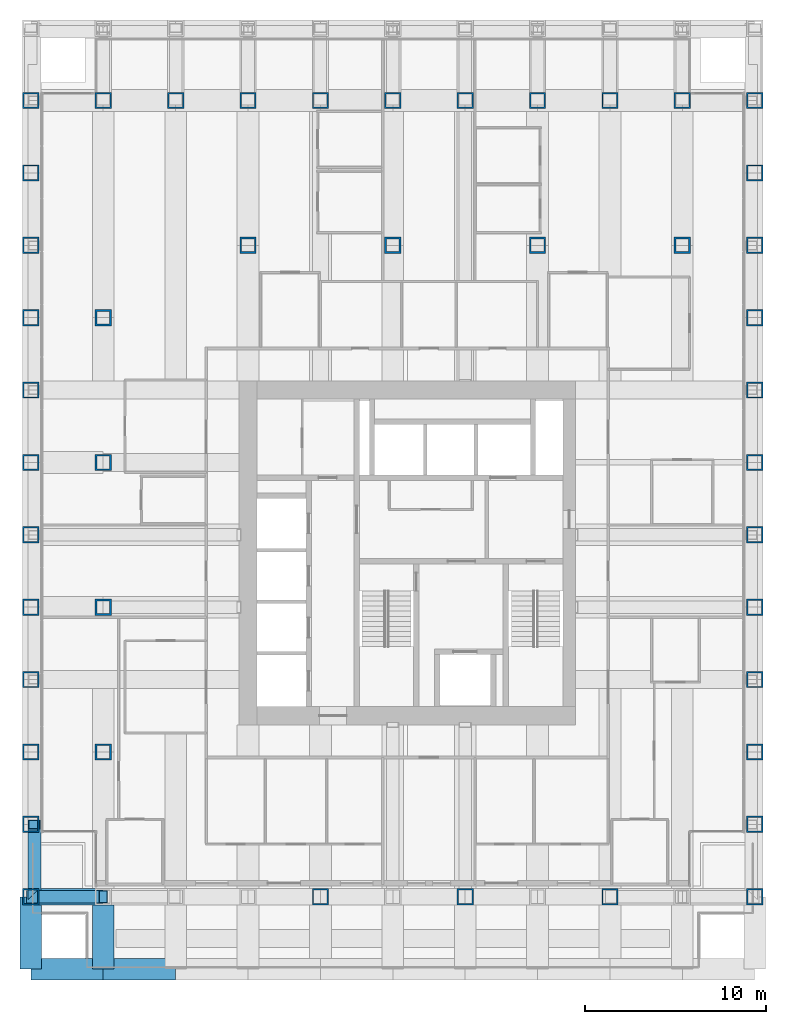
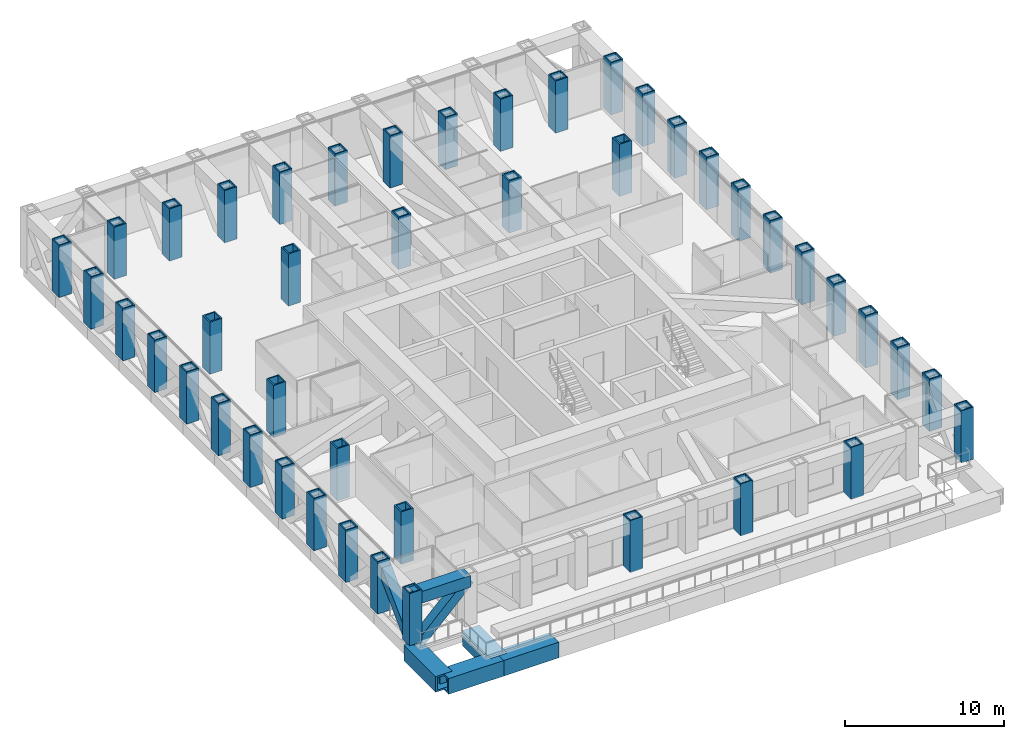
# One storey, part 1 of 16: 44 columns, 5 beams, 2 members.
"""IFC4 building model written with IfcOpenShell, lengths in metres."""

from ifc_helpers import new_model, si_unit, direction, frame, origin, origin_2d, place, context, subcontext, project, spatial, hollow_rectangle, extrude, material, material_profile, profile_set, type_object, element, save


model = new_model("IFC4")

# Units and contexts
model_context = context("Model", 3, precision=1e-05, world=origin(), true_north=direction((0.0, 1.0)))
body_context = subcontext(model_context, "Body", "Model", "MODEL_VIEW")
ifc_project = project(units=[si_unit("LENGTHUNIT", "METRE"), si_unit("AREAUNIT", "SQUARE_METRE"), si_unit("VOLUMEUNIT", "CUBIC_METRE"), si_unit("PLANEANGLEUNIT", "RADIAN"), si_unit("MASSUNIT", "GRAM", prefix="KILO")], contexts=[model_context])

# Site, building, storey
site_placement = place(None, origin())
site = spatial("IfcSite", under=ifc_project, at=site_placement, CompositionType="ELEMENT")
building_placement = place(site_placement, origin())
building = spatial("IfcBuilding", under=site, at=building_placement, Name="Rimbunsela Tower", CompositionType="ELEMENT")
storey_placement = place(building_placement, frame((0.0, 0.0, 171.800048828125)))
storey = spatial("IfcBuildingStorey", under=building, at=storey_placement, Name="L41", CompositionType="ELEMENT", Elevation=171.800048828125)

# Columns
ifc_material_1 = material(Name="Steel BJ 55 (fy 410 MPa)", Category="steel")
ifc_material_profile_1 = material_profile(ifc_material_1, hollow_rectangle(XDim=0.89990234375, YDim=0.89990234375, WallThickness=0.10009765625, at=origin_2d()), Name="BOX 900x900x100")
ifc_profile_set_1 = profile_set([ifc_material_profile_1], Name="Steel BJ 55 (fy 410 MPa)")
column_type_1 = type_object("IfcColumnType", Name="Column BOX 900x900x100", PredefinedType="COLUMN", material=ifc_profile_set_1)
for number, where, z_axis, x_axis, name in (
    (1, (10.0, 16.0, 0.0), (0.0, 0.0, 1.0), (1.0, 0.0, 0.0), "Column C5 5/F L41"),
    (2, (10.0, 24.0, 0.0), (0.0, 0.0, 1.0), (1.0, 0.0, 0.0), "Column C5 5/H L41"),
    (3, (10.0, 32.0, 0.0), (0.0, 0.0, 1.0), (1.0, 0.0, 0.0), "Column C5 5/K L41"),
    (4, (10.0, 40.0, 0.0), (0.0, 0.0, 1.0), (1.0, 0.0, 0.0), "Column C5 5/M L41"),
    (5, (18.0, 44.0, 0.0), (0.0, 0.0, 1.0), (1.0, 0.0, 0.0), "Column C5 7/N L41"),
    (6, (26.0, 44.0, 0.0), (0.0, 0.0, 1.0), (1.0, 0.0, 0.0), "Column C5 9/N L41"),
    (7, (34.0, 44.0, 0.0), (0.0, 0.0, 1.0), (1.0, 0.0, 0.0), "Column C5 11/N L41"),
    (8, (42.0, 44.0, 0.0), (0.0, 0.0, 1.0), (1.0, 0.0, 0.0), "Column C5 13/N L41"),
):
    element("IfcColumn", number, at=place(storey_placement, frame(where, z_axis=z_axis, x_axis=x_axis)), inside=storey, type_object=column_type_1, Name=name, PredefinedType="COLUMN", context=body_context, shape_type="SweptSolid", body=[
        extrude(hollow_rectangle(XDim=0.89990234375, YDim=0.89990234375, WallThickness=0.10009765625, at=origin_2d()), origin(), (0.0, 0.0, 1.0), 4.0),
    ])
ifc_material_2 = material(Name="Steel BJ 55 (fy 410 MPa)", Category="steel")
ifc_material_profile_2 = material_profile(ifc_material_2, hollow_rectangle(XDim=0.89990234375, YDim=0.89990234375, WallThickness=0.080078125, at=origin_2d()), Name="BOX 900x900x80")
ifc_profile_set_2 = profile_set([ifc_material_profile_2], Name="Steel BJ 55 (fy 410 MPa)")
column_type_2 = type_object("IfcColumnType", Name="Truss column BOX 900x900x80", PredefinedType="USERDEFINED", material=ifc_profile_set_2)
for number, where, z_axis, x_axis, name in (
    (9, (6.0, 8.0, 0.0), (0.0, 0.0, 1.0), (1.0, 0.0, 0.0), "Truss column TV3 4/D L41"),
    (10, (6.0, 12.0, 0.0), (0.0, 0.0, 1.0), (1.0, 0.0, 0.0), "Truss column TV3 4/E L41"),
    (11, (6.0, 16.0, 0.0), (0.0, 0.0, 1.0), (1.0, 0.0, 0.0), "Truss column TV3 4/F L41"),
    (12, (6.0, 20.0, 0.0), (0.0, 0.0, 1.0), (1.0, 0.0, 0.0), "Truss column TV3 4/G L41"),
    (13, (6.0, 24.0, 0.0), (0.0, 0.0, 1.0), (1.0, 0.0, 0.0), "Truss column TV3 4/H L41"),
    (14, (6.0, 28.0, 0.0), (0.0, 0.0, 1.0), (1.0, 0.0, 0.0), "Truss column TV3 4/J L41"),
    (15, (6.0, 32.0, 0.0), (0.0, 0.0, 1.0), (1.0, 0.0, 0.0), "Truss column TV3 4/K L41"),
    (16, (6.0, 36.0, 0.0), (0.0, 0.0, 1.0), (1.0, 0.0, 0.0), "Truss column TV3 4/L L41"),
    (17, (6.0, 40.0, 0.0), (0.0, 0.0, 1.0), (1.0, 0.0, 0.0), "Truss column TV3 4/M L41"),
    (18, (6.0, 44.0, 0.0), (0.0, 0.0, 1.0), (1.0, 0.0, 0.0), "Truss column TV3 4/N L41"),
    (19, (6.0, 48.0, 0.0), (0.0, 0.0, 1.0), (1.0, 0.0, 0.0), "Truss column TV3 4/P L41"),
    (20, (6.0, 52.0, 0.0), (0.0, 0.0, 1.0), (1.0, 0.0, 0.0), "Truss column TV3 4/Q L41"),
    (21, (22.0, 8.0, 0.0), (0.0, 0.0, 1.0), (1.0, 0.0, 0.0), "Truss column TV3 8/D L41"),
    (22, (30.0, 8.0, 0.0), (0.0, 0.0, 1.0), (1.0, 0.0, 0.0), "Truss column TV3 10/D L41"),
    (23, (38.0, 8.0, 0.0), (0.0, 0.0, 1.0), (1.0, 0.0, 0.0), "Truss column TV3 12/D L41"),
    (24, (46.0, 8.0, 0.0), (0.0, 0.0, 1.0), (1.0, 0.0, 0.0), "Truss column TV3 14/D L41"),
    (25, (46.0, 12.0, 0.0), (0.0, 0.0, 1.0), (1.0, 0.0, 0.0), "Truss column TV3 14/E L41"),
    (26, (46.0, 16.0, 0.0), (0.0, 0.0, 1.0), (1.0, 0.0, 0.0), "Truss column TV3 14/F L41"),
    (27, (46.0, 20.0, 0.0), (0.0, 0.0, 1.0), (1.0, 0.0, 0.0), "Truss column TV3 14/G L41"),
    (28, (46.0, 24.0, 0.0), (0.0, 0.0, 1.0), (1.0, 0.0, 0.0), "Truss column TV3 14/H L41"),
    (29, (46.0, 28.0, 0.0), (0.0, 0.0, 1.0), (1.0, 0.0, 0.0), "Truss column TV3 14/J L41"),
    (30, (46.0, 32.0, 0.0), (0.0, 0.0, 1.0), (1.0, 0.0, 0.0), "Truss column TV3 14/K L41"),
    (31, (46.0, 36.0, 0.0), (0.0, 0.0, 1.0), (1.0, 0.0, 0.0), "Truss column TV3 14/L L41"),
    (32, (46.0, 40.0, 0.0), (0.0, 0.0, 1.0), (1.0, 0.0, 0.0), "Truss column TV3 14/M L41"),
    (33, (46.0, 44.0, 0.0), (0.0, 0.0, 1.0), (1.0, 0.0, 0.0), "Truss column TV3 14/N L41"),
    (34, (46.0, 48.0, 0.0), (0.0, 0.0, 1.0), (1.0, 0.0, 0.0), "Truss column TV3 14/P L41"),
    (35, (46.0, 52.0, 0.0), (0.0, 0.0, 1.0), (1.0, 0.0, 0.0), "Truss column TV3 14/Q L41"),
    (36, (10.0, 52.0, 0.0), (0.0, 0.0, 1.0), (1.0, 0.0, 0.0), "Truss column TV3 5/Q L41"),
    (37, (14.0, 52.0, 0.0), (0.0, 0.0, 1.0), (1.0, 0.0, 0.0), "Truss column TV3 6/Q L41"),
    (38, (18.0, 52.0, 0.0), (0.0, 0.0, 1.0), (1.0, 0.0, 0.0), "Truss column TV3 7/Q L41"),
    (39, (22.0, 52.0, 0.0), (0.0, 0.0, 1.0), (1.0, 0.0, 0.0), "Truss column TV3 8/Q L41"),
    (40, (26.0, 52.0, 0.0), (0.0, 0.0, 1.0), (1.0, 0.0, 0.0), "Truss column TV3 9/Q L41"),
    (41, (30.0, 52.0, 0.0), (0.0, 0.0, 1.0), (1.0, 0.0, 0.0), "Truss column TV3 10/Q L41"),
    (42, (34.0, 52.0, 0.0), (0.0, 0.0, 1.0), (1.0, 0.0, 0.0), "Truss column TV3 11/Q L41"),
    (43, (38.0, 52.0, 0.0), (0.0, 0.0, 1.0), (1.0, 0.0, 0.0), "Truss column TV3 12/Q L41"),
    (44, (42.0, 52.0, 0.0), (0.0, 0.0, 1.0), (1.0, 0.0, 0.0), "Truss column TV3 13/Q L41"),
):
    element("IfcColumn", number, at=place(storey_placement, frame(where, z_axis=z_axis, x_axis=x_axis)), inside=storey, type_object=column_type_2, Name=name, ObjectType="TRUSS POST", PredefinedType="USERDEFINED", context=body_context, shape_type="SweptSolid", body=[
        extrude(hollow_rectangle(XDim=0.89990234375, YDim=0.89990234375, WallThickness=0.080078125, at=origin_2d()), origin(), (0.0, 0.0, 1.0), 4.0),
    ])

# Beams
ifc_material_3 = material(Name="Steel BJ 55 (fy 410 MPa)", Category="steel")
ifc_material_profile_3 = material_profile(ifc_material_3, hollow_rectangle(XDim=1.199951171875, YDim=1.199951171875, WallThickness=0.125, at=origin_2d()), Name="BOX 1200x1200x125")
ifc_profile_set_3 = profile_set([ifc_material_profile_3], Name="Steel BJ 55 (fy 410 MPa)")
beam_type_1 = type_object("IfcBeamType", Name="Beam BOX 1200x1200x125", PredefinedType="BEAM", material=ifc_profile_set_3)
for number, where, z_axis, x_axis, name in (
    (45, (6.0, 4.0, -0.75), (0.0, 1.0, 0.0), (-1.0, 0.0, 0.0), "Beam B4 L41"),
    (46, (6.0, 4.0, -0.75), (1.0, 0.0, 0.0), (0.0, 1.0, 0.0), "Beam B4 L41"),
):
    element("IfcBeam", number, at=place(storey_placement, frame(where, z_axis=z_axis, x_axis=x_axis)), inside=storey, type_object=beam_type_1, Name=name, PredefinedType="BEAM", context=body_context, shape_type="SweptSolid", body=[
        extrude(hollow_rectangle(XDim=1.199951171875, YDim=1.199951171875, WallThickness=0.125, at=origin_2d()), origin(), (0.0, 0.0, 1.0), 4.0),
    ])
beam_1_placement = place(storey_placement, frame((10.0, 4.0, -0.75), z_axis=(0.0, 1.0, 0.0), x_axis=(-1.0, 0.0, 0.0)))
element("IfcBeam", 47, at=beam_1_placement, inside=storey, type_object=beam_type_1, Name="Beam B4 L41", PredefinedType="BEAM", context=body_context, shape_type="SweptSolid", body=[
    extrude(hollow_rectangle(XDim=1.199951171875, YDim=1.199951171875, WallThickness=0.125, at=origin_2d()), origin(), (0.0, 0.0, 1.0), 3.550048828125),
])
beam_2_placement = place(storey_placement, frame((10.0, 4.0, -0.75), z_axis=(1.0, 0.0, 0.0), x_axis=(0.0, 1.0, 0.0)))
element("IfcBeam", 48, at=beam_2_placement, inside=storey, type_object=beam_type_1, Name="Beam B4 L41", PredefinedType="BEAM", context=body_context, shape_type="SweptSolid", body=[
    extrude(hollow_rectangle(XDim=1.199951171875, YDim=1.199951171875, WallThickness=0.125, at=origin_2d()), origin(), (0.0, 0.0, 1.0), 4.0),
])
ifc_material_4 = material(Name="Steel BJ 55 (fy 410 MPa)", Category="steel")
ifc_material_profile_4 = material_profile(ifc_material_4, hollow_rectangle(XDim=0.89990234375, YDim=0.89990234375, WallThickness=0.080078125, at=origin_2d()), Name="BOX 900x900x80")
ifc_profile_set_4 = profile_set([ifc_material_profile_4], Name="Steel BJ 55 (fy 410 MPa)")
beam_type_2 = type_object("IfcBeamType", Name="Truss chord BOX 900x900x80", PredefinedType="USERDEFINED", material=ifc_profile_set_4)
beam_3_placement = place(storey_placement, frame((6.0, 8.0, 3.39990234375), z_axis=(1.0, 0.0, 0.0), x_axis=(0.0, 1.0, 0.0)))
element("IfcBeam", 49, at=beam_3_placement, inside=storey, type_object=beam_type_2, Name="Truss top chord TC3 S face L41", ObjectType="TRUSS CHORD", PredefinedType="USERDEFINED", context=body_context, shape_type="SweptSolid", body=[
    extrude(hollow_rectangle(XDim=0.89990234375, YDim=0.89990234375, WallThickness=0.080078125, at=origin_2d()), origin(), (0.0, 0.0, 1.0), 4.0),
])

# Members
ifc_material_5 = material(Name="Steel BJ 55 (fy 410 MPa)", Category="steel")
ifc_material_profile_5 = material_profile(ifc_material_5, hollow_rectangle(XDim=0.699951171875, YDim=0.699951171875, WallThickness=0.0400390625, at=origin_2d()), Name="BOX 700x700x40")
ifc_profile_set_5 = profile_set([ifc_material_profile_5], Name="Steel BJ 55 (fy 410 MPa)")
member_type = type_object("IfcMemberType", Name="Truss diagonal BOX 700x700x40", PredefinedType="BRACE", material=ifc_profile_set_5)
for number, where, z_axis, x_axis, name in (
    (50, (6.0, 8.0, -0.60009765625), (0.707106781187, 0.0, 0.707106781187), (0.0, 1.0, 0.0), "Truss diagonal TD3 S face L41"),
    (51, (6.199951171875, 8.0, -0.60009765625), (0.0, 0.707106781187, 0.707106781187), (-1.0, 0.0, 0.0), "Truss diagonal TD3 W face L41"),
):
    element("IfcMember", number, at=place(storey_placement, frame(where, z_axis=z_axis, x_axis=x_axis)), inside=storey, type_object=member_type, Name=name, PredefinedType="BRACE", context=body_context, shape_type="SweptSolid", body=[
        extrude(hollow_rectangle(XDim=0.699951171875, YDim=0.699951171875, WallThickness=0.0400390625, at=origin_2d()), origin(), (0.0, 0.0, 1.0), 5.65673828125),
    ])

save(model, "model.ifc")
